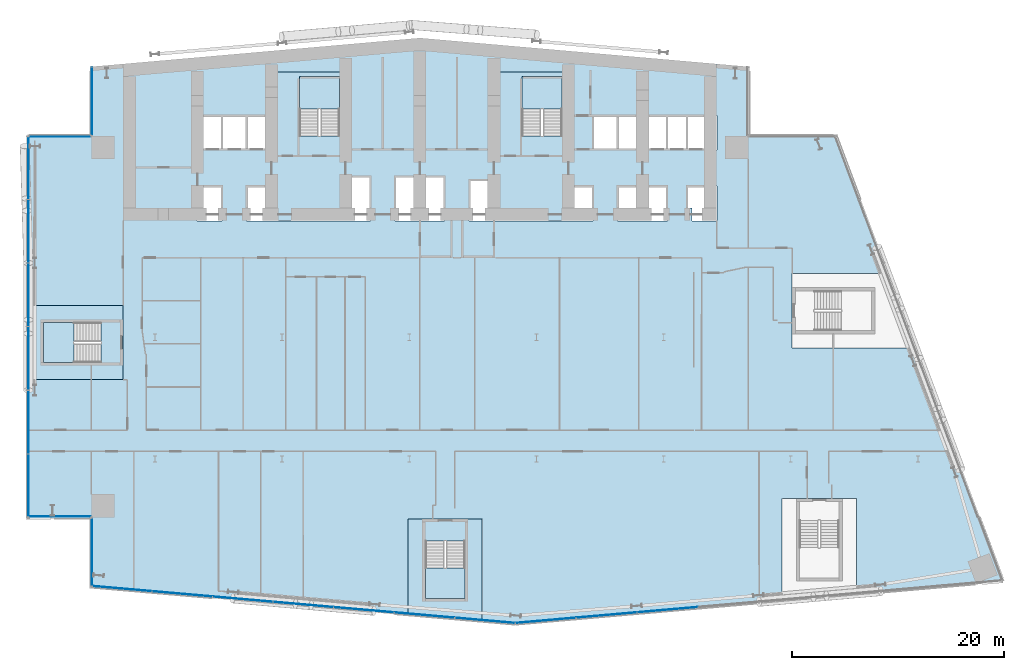
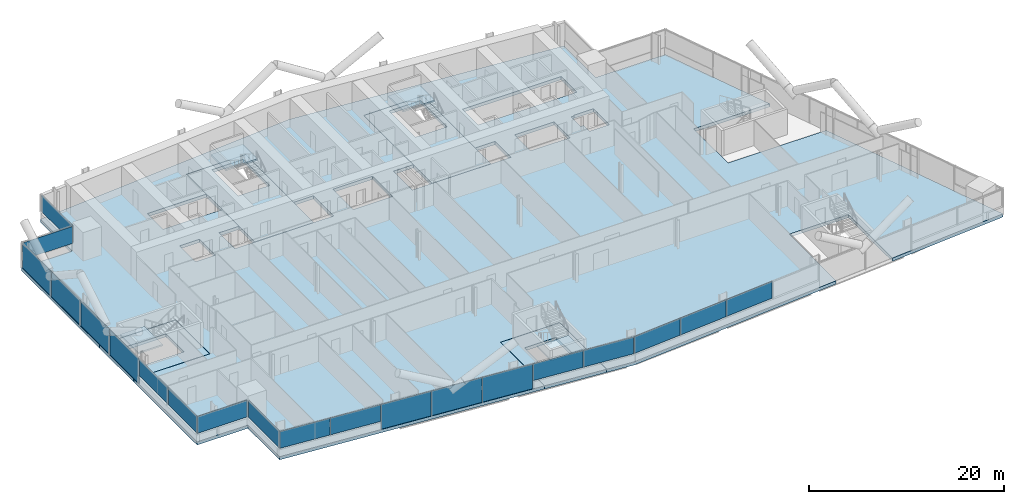
# One storey, part 11 of 27: 20 plates, 9 slabs, 11 elements without a shape of their own.
"""IFC4 building model written with IfcOpenShell, lengths in metres."""

from ifc_helpers import new_model, si_unit, direction, frame, origin, origin_2d, place, context, subcontext, project, spatial, polyline, rectangle, outline, extrude, material, layer, layer_set, type_object, element, aggregate, save


model = new_model("IFC4")

# Units and contexts
model_context = context("Model", 3, precision=1e-05, world=origin(), true_north=direction((0.0, 1.0)))
body_context = subcontext(model_context, "Body", "Model", "MODEL_VIEW")
ifc_project = project(units=[si_unit("LENGTHUNIT", "METRE"), si_unit("AREAUNIT", "SQUARE_METRE"), si_unit("VOLUMEUNIT", "CUBIC_METRE"), si_unit("PLANEANGLEUNIT", "RADIAN"), si_unit("MASSUNIT", "GRAM", prefix="KILO")], contexts=[model_context])

# Site, building, storey
site_placement = place(None, origin())
site = spatial("IfcSite", under=ifc_project, at=site_placement, CompositionType="ELEMENT")
building_placement = place(site_placement, origin())
building = spatial("IfcBuilding", under=site, at=building_placement, Name="Wharfspan Tower", CompositionType="ELEMENT")
storey_placement = place(building_placement, frame((0.0, 0.0, 48.699951)))
storey = spatial("IfcBuildingStorey", under=building, at=storey_placement, Name="L08", CompositionType="ELEMENT", Elevation=48.699951)

# Curtain wall, plates
ifc_material_1 = material(Name="Aluminium 6063-T6", Category="aluminium")
curtain_wall_type_1 = type_object("IfcCurtainWallType", Name="CURTAIN WALL FACETED FRONT", PredefinedType="NOTDEFINED", material=ifc_material_1)
curtain_wall_1_placement = place(storey_placement, origin())
curtain_wall_1 = element("IfcCurtainWall", 1, at=curtain_wall_1_placement, inside=storey, type_object=curtain_wall_type_1, Name="Curtain wall S1", PredefinedType="NOTDEFINED")
ifc_material_2 = material(Name="Glass clear low-iron double glazing", Category="glass")
ifc_layer_1 = layer(ifc_material_2, 0.040039)
ifc_layer_set_1 = layer_set([ifc_layer_1], Name="Glass clear low-iron double glazing")
plate_type_1 = type_object("IfcPlateType", Name="GLASS PANEL FACETED FRONT 40", PredefinedType="CURTAIN_PANEL", material=ifc_layer_set_1)
plate_1_placement = place(storey_placement, frame((8.877197, -0.716553, 1.0), z_axis=(0.0, 0.0, 1.0), x_axis=(0.996197, -0.087156, 0.0)))
plate_1 = element("IfcPlate", 2, at=plate_1_placement, type_object=plate_type_1, Name="Curtain wall S1 panel 1", PredefinedType="CURTAIN_PANEL", context=body_context, shape_type="SweptSolid", body=[
    extrude(rectangle(XDim=5.645996, YDim=0.040039, at=origin_2d()), origin(), (0.0, 0.0, 1.0), 2.120117),
])
plate_2_placement = place(storey_placement, frame((14.57666, -1.215088, 1.0), z_axis=(0.0, 0.0, 1.0), x_axis=(0.996197, -0.087156, 0.0)))
plate_2 = element("IfcPlate", 3, at=plate_2_placement, type_object=plate_type_1, Name="Curtain wall S1 panel 2", PredefinedType="CURTAIN_PANEL", context=body_context, shape_type="SweptSolid", body=[
    extrude(rectangle(XDim=5.676025, YDim=0.040039, at=origin_2d()), origin(), (0.0, 0.0, 1.0), 2.120117),
])
plate_3_placement = place(storey_placement, frame((37.433838, -3.214844, 1.0), z_axis=(0.0, 0.0, 1.0), x_axis=(0.996197, -0.087156, 0.0)))
plate_3 = element("IfcPlate", 4, at=plate_3_placement, type_object=plate_type_1, Name="Curtain wall S1 panel 6", PredefinedType="CURTAIN_PANEL", context=body_context, shape_type="SweptSolid", body=[
    extrude(rectangle(XDim=5.676025, YDim=0.040039, at=origin_2d()), origin(), (0.0, 0.0, 1.0), 2.120117),
])
plate_4_placement = place(storey_placement, frame((43.133057, -3.713379, 1.0), z_axis=(0.0, 0.0, 1.0), x_axis=(0.996197, -0.087156, 0.0)))
plate_4 = element("IfcPlate", 5, at=plate_4_placement, type_object=plate_type_1, Name="Curtain wall S1 panel 7", PredefinedType="CURTAIN_PANEL", context=body_context, shape_type="SweptSolid", body=[
    extrude(rectangle(XDim=5.645996, YDim=0.040039, at=origin_2d()), origin(), (0.0, 0.0, 1.0), 2.120117),
])

curtain_wall_2_placement = place(storey_placement, origin())
curtain_wall_2 = element("IfcCurtainWall", 6, at=curtain_wall_2_placement, inside=storey, type_object=curtain_wall_type_1, Name="Curtain wall S2", PredefinedType="NOTDEFINED")
plate_5_placement = place(storey_placement, frame((48.884766, -3.711914, 1.0), z_axis=(0.0, 0.0, 1.0), x_axis=(0.996197, 0.087156, 0.0)))
plate_5 = element("IfcPlate", 7, at=plate_5_placement, type_object=plate_type_1, Name="Curtain wall S2 panel 1", PredefinedType="CURTAIN_PANEL", context=body_context, shape_type="SweptSolid", body=[
    extrude(rectangle(XDim=5.681885, YDim=0.040039, at=origin_2d()), origin(), (0.0, 0.0, 1.0), 2.120117),
])
plate_6_placement = place(storey_placement, frame((54.619873, -3.210205, 1.0), z_axis=(0.0, 0.0, 1.0), x_axis=(0.996197, 0.087156, 0.0)))
plate_6 = element("IfcPlate", 8, at=plate_6_placement, type_object=plate_type_1, Name="Curtain wall S2 panel 2", PredefinedType="CURTAIN_PANEL", context=body_context, shape_type="SweptSolid", body=[
    extrude(rectangle(XDim=5.711914, YDim=0.040039, at=origin_2d()), origin(), (0.0, 0.0, 1.0), 2.120117),
])
plate_7_placement = place(storey_placement, frame((60.369873, -2.707031, 1.0), z_axis=(0.0, 0.0, 1.0), x_axis=(0.996197, 0.087156, 0.0)))
plate_7 = element("IfcPlate", 9, at=plate_7_placement, type_object=plate_type_1, Name="Curtain wall S2 panel 3", PredefinedType="CURTAIN_PANEL", context=body_context, shape_type="SweptSolid", body=[
    extrude(rectangle(XDim=5.711914, YDim=0.040039, at=origin_2d()), origin(), (0.0, 0.0, 1.0), 2.120117),
])
aggregate(curtain_wall_2, [plate_5, plate_6, plate_7])

# Curtain wall, plate
curtain_wall_type_2 = type_object("IfcCurtainWallType", Name="CURTAIN WALL PROW AND END", PredefinedType="NOTDEFINED", material=ifc_material_1)
curtain_wall_3_placement = place(storey_placement, origin())
curtain_wall_3 = element("IfcCurtainWall", 10, at=curtain_wall_3_placement, inside=storey, type_object=curtain_wall_type_2, Name="Curtain wall NRW-V", PredefinedType="NOTDEFINED")
ifc_layer_2 = layer(ifc_material_2, 0.040039)
ifc_layer_set_2 = layer_set([ifc_layer_2], Name="Glass clear low-iron double glazing")
plate_type_2 = type_object("IfcPlateType", Name="GLASS PANEL PROW AND END 40", PredefinedType="CURTAIN_PANEL", material=ifc_layer_set_2)
plate_8_placement = place(storey_placement, frame((6.080078, 45.262451, 1.0), z_axis=(0.0, 0.0, 1.0), x_axis=(0.0, -1.0, 0.0)))
plate_8 = element("IfcPlate", 11, at=plate_8_placement, type_object=plate_type_2, Name="Curtain wall NRW-V panel 1", PredefinedType="CURTAIN_PANEL", context=body_context, shape_type="SweptSolid", body=[
    extrude(rectangle(XDim=6.405029, YDim=0.040039, at=origin_2d()), origin(), (0.0, 0.0, 1.0), 2.120117),
])
aggregate(curtain_wall_3, [plate_8])

curtain_wall_4_placement = place(storey_placement, origin())
curtain_wall_4 = element("IfcCurtainWall", 12, at=curtain_wall_4_placement, inside=storey, type_object=curtain_wall_type_2, Name="Curtain wall NRW-H", PredefinedType="NOTDEFINED")
plate_9_placement = place(storey_placement, frame((3.0, 41.919922, 1.0), z_axis=(0.0, 0.0, 1.0), x_axis=(-1.0, 0.0, 0.0)))
plate_9 = element("IfcPlate", 13, at=plate_9_placement, type_object=plate_type_2, Name="Curtain wall NRW-H panel 1", PredefinedType="CURTAIN_PANEL", context=body_context, shape_type="SweptSolid", body=[
    extrude(rectangle(XDim=5.879883, YDim=0.040039, at=origin_2d()), origin(), (0.0, 0.0, 1.0), 2.120117),
])
aggregate(curtain_wall_4, [plate_9])

# Curtain wall, plates
curtain_wall_5_placement = place(storey_placement, origin())
curtain_wall_5 = element("IfcCurtainWall", 14, at=curtain_wall_5_placement, inside=storey, type_object=curtain_wall_type_2, Name="Curtain wall W", PredefinedType="NOTDEFINED")
plate_10_placement = place(storey_placement, frame((0.080078, 15.0, 1.0), z_axis=(0.0, 0.0, 1.0), x_axis=(0.0, -1.0, 0.0)))
plate_10 = element("IfcPlate", 15, at=plate_10_placement, type_object=plate_type_2, Name="Curtain wall W panel 5", PredefinedType="CURTAIN_PANEL", context=body_context, shape_type="SweptSolid", body=[
    extrude(rectangle(XDim=5.939941, YDim=0.040039, at=origin_2d()), origin(), (0.0, 0.0, 1.0), 2.120117),
])
plate_11_placement = place(storey_placement, frame((0.080078, 9.014893, 1.0), z_axis=(0.0, 0.0, 1.0), x_axis=(0.0, -1.0, 0.0)))
plate_11 = element("IfcPlate", 16, at=plate_11_placement, type_object=plate_type_2, Name="Curtain wall W panel 6", PredefinedType="CURTAIN_PANEL", context=body_context, shape_type="SweptSolid", body=[
    extrude(rectangle(XDim=5.909912, YDim=0.040039, at=origin_2d()), origin(), (0.0, 0.0, 1.0), 2.120117),
])

# Curtain wall, plate
curtain_wall_6_placement = place(storey_placement, origin())
curtain_wall_6 = element("IfcCurtainWall", 17, at=curtain_wall_6_placement, inside=storey, type_object=curtain_wall_type_2, Name="Curtain wall NFW-H", PredefinedType="NOTDEFINED")
plate_12_placement = place(storey_placement, frame((3.0, 6.080078, 1.0), z_axis=(0.0, 0.0, 1.0), x_axis=(1.0, 0.0, 0.0)))
plate_12 = element("IfcPlate", 18, at=plate_12_placement, type_object=plate_type_2, Name="Curtain wall NFW-H panel 1", PredefinedType="CURTAIN_PANEL", context=body_context, shape_type="SweptSolid", body=[
    extrude(rectangle(XDim=5.879883, YDim=0.040039, at=origin_2d()), origin(), (0.0, 0.0, 1.0), 2.120117),
])
aggregate(curtain_wall_6, [plate_12])

curtain_wall_7_placement = place(storey_placement, origin())
curtain_wall_7 = element("IfcCurtainWall", 19, at=curtain_wall_7_placement, inside=storey, type_object=curtain_wall_type_2, Name="Curtain wall NFW-V", PredefinedType="NOTDEFINED")
plate_13_placement = place(storey_placement, frame((6.080078, 2.737549, 1.0), z_axis=(0.0, 0.0, 1.0), x_axis=(0.0, -1.0, 0.0)))
plate_13 = element("IfcPlate", 20, at=plate_13_placement, type_object=plate_type_2, Name="Curtain wall NFW-V panel 1", PredefinedType="CURTAIN_PANEL", context=body_context, shape_type="SweptSolid", body=[
    extrude(rectangle(XDim=6.405029, YDim=0.040039, at=origin_2d()), origin(), (0.0, 0.0, 1.0), 2.120117),
])
aggregate(curtain_wall_7, [plate_13])

# Plate
ifc_material_3 = material(Name="Aluminium composite opaque insulated panel", Category="aluminium")
ifc_layer_3 = layer(ifc_material_3, 0.040039)
ifc_layer_set_3 = layer_set([ifc_layer_3], Name="Aluminium composite opaque insulated panel")
plate_type_3 = type_object("IfcPlateType", Name="INFILL PANEL FACETED FRONT OPAQUE 40", PredefinedType="SHEET", material=ifc_layer_set_3)
plate_14_placement = place(storey_placement, frame((20.291016, -1.715088, 0.0), z_axis=(0.0, 0.0, 1.0), x_axis=(0.996197, -0.087156, 0.0)))
plate_14 = element("IfcPlate", 21, at=plate_14_placement, type_object=plate_type_3, Name="Curtain wall S1 panel 3", PredefinedType="SHEET", context=body_context, shape_type="SweptSolid", body=[
    extrude(rectangle(XDim=5.676025, YDim=0.040039, at=origin_2d()), origin(), (0.0, 0.0, 1.0), 3.120117),
])

plate_15_placement = place(storey_placement, frame((26.005127, -2.214844, 0.0), z_axis=(0.0, 0.0, 1.0), x_axis=(0.996197, -0.087156, 0.0)))
plate_15 = element("IfcPlate", 22, at=plate_15_placement, type_object=plate_type_3, Name="Curtain wall S1 panel 4", PredefinedType="SHEET", context=body_context, shape_type="SweptSolid", body=[
    extrude(rectangle(XDim=5.676025, YDim=0.040039, at=origin_2d()), origin(), (0.0, 0.0, 1.0), 3.120117),
])

plate_16_placement = place(storey_placement, frame((31.719482, -2.714844, 0.0), z_axis=(0.0, 0.0, 1.0), x_axis=(0.996197, -0.087156, 0.0)))
plate_16 = element("IfcPlate", 23, at=plate_16_placement, type_object=plate_type_3, Name="Curtain wall S1 panel 5", PredefinedType="SHEET", context=body_context, shape_type="SweptSolid", body=[
    extrude(rectangle(XDim=5.676025, YDim=0.040039, at=origin_2d()), origin(), (0.0, 0.0, 1.0), 3.120117),
])

aggregate(curtain_wall_1, [plate_1, plate_2, plate_14, plate_15, plate_16, plate_3, plate_4])

ifc_layer_4 = layer(ifc_material_3, 0.040039)
ifc_layer_set_4 = layer_set([ifc_layer_4], Name="Aluminium composite opaque insulated panel")
plate_type_4 = type_object("IfcPlateType", Name="INFILL PANEL PROW AND END OPAQUE 40", PredefinedType="SHEET", material=ifc_layer_set_4)
plate_17_placement = place(storey_placement, frame((0.080078, 38.985107, 0.0), z_axis=(0.0, 0.0, 1.0), x_axis=(0.0, -1.0, 0.0)))
plate_17 = element("IfcPlate", 24, at=plate_17_placement, type_object=plate_type_4, Name="Curtain wall W panel 1", PredefinedType="SHEET", context=body_context, shape_type="SweptSolid", body=[
    extrude(rectangle(XDim=5.909912, YDim=0.040039, at=origin_2d()), origin(), (0.0, 0.0, 1.0), 3.120117),
])

plate_18_placement = place(storey_placement, frame((0.080078, 33.0, 0.0), z_axis=(0.0, 0.0, 1.0), x_axis=(0.0, -1.0, 0.0)))
plate_18 = element("IfcPlate", 25, at=plate_18_placement, type_object=plate_type_4, Name="Curtain wall W panel 2", PredefinedType="SHEET", context=body_context, shape_type="SweptSolid", body=[
    extrude(rectangle(XDim=5.939941, YDim=0.040039, at=origin_2d()), origin(), (0.0, 0.0, 1.0), 3.120117),
])

plate_19_placement = place(storey_placement, frame((0.080078, 27.0, 0.0), z_axis=(0.0, 0.0, 1.0), x_axis=(0.0, -1.0, 0.0)))
plate_19 = element("IfcPlate", 26, at=plate_19_placement, type_object=plate_type_4, Name="Curtain wall W panel 3", PredefinedType="SHEET", context=body_context, shape_type="SweptSolid", body=[
    extrude(rectangle(XDim=5.939941, YDim=0.040039, at=origin_2d()), origin(), (0.0, 0.0, 1.0), 3.120117),
])

plate_20_placement = place(storey_placement, frame((0.080078, 21.0, 0.0), z_axis=(0.0, 0.0, 1.0), x_axis=(0.0, -1.0, 0.0)))
plate_20 = element("IfcPlate", 27, at=plate_20_placement, type_object=plate_type_4, Name="Curtain wall W panel 4", PredefinedType="SHEET", context=body_context, shape_type="SweptSolid", body=[
    extrude(rectangle(XDim=5.939941, YDim=0.040039, at=origin_2d()), origin(), (0.0, 0.0, 1.0), 3.120117),
])

aggregate(curtain_wall_5, [plate_17, plate_18, plate_19, plate_20, plate_10, plate_11])

# Slabs
ifc_material_4 = material(Name="Concrete C40/50", Category="concrete")
ifc_layer_5 = layer(ifc_material_4, 0.399902)
ifc_layer_set_5 = layer_set([ifc_layer_5], Name="Concrete C40/50")
slab_type_1 = type_object("IfcSlabType", Name="Post-tensioned flat slab 400", PredefinedType="FLOOR", material=ifc_layer_set_5)
slab_1_placement = place(storey_placement, frame((0.0, 0.0, -0.400146)))
element("IfcSlab", 28, at=slab_1_placement, inside=storey, type_object=slab_type_1, Name="Floor slab L08", PredefinedType="FLOOR", context=body_context, shape_type="SweptSolid", body=[
    extrude(outline(polyline([(35.873291, -3.138428), (35.873291, 5.870605), (42.893311, 5.870605), (42.893311, -3.752686), (46.0, -4.024414), (71.182617, -1.821289), (71.182617, 7.802002), (78.202393, 7.802002), (78.202393, -1.207031), (92.0, 0.0), (83.753662, 21.98999), (72.11499, 21.98999), (72.11499, 29.01001), (81.121338, 29.01001), (76.25, 42.0), (68.0, 42.0), (68.0, 48.524902), (37.0, 51.237061), (6.0, 48.524902), (6.0, 42.0), (0.0, 42.0), (0.0, 26.01001), (9.01001, 26.01001), (9.01001, 18.98999), (0.0, 18.98999), (0.0, 6.0), (6.0, 6.0), (6.0, -0.524902), (35.873291, -3.138428)]), holes=[polyline([(62.290039, 37.159912), (62.656738, 37.159912), (62.656738, 37.26001), (65.01001, 37.26001), (65.01001, 33.98999), (62.656738, 33.98999), (62.656738, 35.189941), (62.290039, 35.189941), (62.290039, 37.159912)]), polyline([(65.01001, 43.909912), (65.01001, 40.689941), (53.323242, 40.689941), (53.323242, 43.909912), (65.01001, 43.909912)]), polyline([(55.656738, 33.98999), (55.656738, 37.26001), (60.343262, 37.26001), (60.343262, 33.98999), (55.656738, 33.98999)]), polyline([(43.98999, 37.860107), (43.98999, 48.01001), (51.01001, 48.01001), (51.01001, 37.26001), (53.343262, 37.26001), (53.343262, 33.98999), (41.656738, 33.98999), (41.656738, 37.860107), (43.98999, 37.860107)]), polyline([(34.656738, 33.98999), (34.656738, 38.159912), (39.343262, 38.159912), (39.343262, 33.98999), (34.656738, 33.98999)]), polyline([(15.98999, 40.689941), (15.98999, 43.909912), (20.656738, 43.909912), (20.676758, 43.909912), (22.98999, 43.909912), (22.98999, 48.01001), (30.01001, 48.01001), (30.01001, 38.159912), (32.343262, 38.159912), (32.343262, 33.98999), (20.656738, 33.98999), (20.656738, 37.26001), (22.98999, 37.26001), (22.98999, 40.689941), (20.676758, 40.689941), (20.656738, 40.689941), (15.98999, 40.689941)]), polyline([(18.343262, 37.26001), (18.343262, 33.98999), (15.98999, 33.98999), (15.98999, 37.26001), (18.343262, 37.26001)])]), origin(), (0.0, 0.0, 1.0), 0.400146),
])
slab_2_placement = place(storey_placement, frame((0.0, 0.0, -0.400146)))
element("IfcSlab", 29, at=slab_2_placement, inside=storey, type_object=slab_type_1, Name="Core floor slab L08 part 1", PredefinedType="FLOOR", context=body_context, shape_type="SweptSolid", body=[
    extrude(outline(polyline([(9.0, 20.324951), (9.0, 24.675049), (9.0, 26.0), (0.0, 26.0), (0.0, 19.0), (9.0, 19.0), (9.0, 20.324951)]), holes=[polyline([(6.9021, 20.625), (6.9021, 20.624756), (6.9021, 20.624512), (6.901855, 20.624512), (6.901855, 20.624268), (6.901855, 20.624023), (6.901611, 20.623779), (6.901611, 20.623779), (6.901367, 20.623535), (6.901367, 20.623535), (6.901123, 20.623291), (6.900879, 20.623291), (6.900879, 20.623291), (6.900635, 20.623047), (6.900391, 20.623047), (6.900146, 20.623047), (6.899902, 20.623047), (1.5, 20.623047), (1.499756, 20.623047), (1.499512, 20.623047), (1.499512, 20.623047), (1.499268, 20.623291), (1.499023, 20.623291), (1.498779, 20.623291), (1.498779, 20.623535), (1.498535, 20.623535), (1.498535, 20.623779), (1.498291, 20.623779), (1.498291, 20.624023), (1.498291, 20.624268), (1.498047, 20.624512), (1.498047, 20.624512), (1.498047, 20.624756), (1.498047, 20.625), (1.498047, 24.375), (1.498047, 24.375244), (1.498047, 24.375488), (1.498047, 24.375488), (1.498291, 24.375732), (1.498291, 24.375977), (1.498291, 24.376221), (1.498535, 24.376221), (1.498535, 24.376465), (1.498779, 24.376465), (1.498779, 24.376709), (1.499023, 24.376709), (1.499268, 24.376709), (1.499512, 24.376953), (1.499512, 24.376953), (1.499756, 24.376953), (1.5, 24.376953), (6.899902, 24.376953), (6.900146, 24.376953), (6.900391, 24.376953), (6.900635, 24.376953), (6.900879, 24.376709), (6.900879, 24.376709), (6.901123, 24.376709), (6.901367, 24.376465), (6.901367, 24.376465), (6.901611, 24.376221), (6.901611, 24.376221), (6.901855, 24.375977), (6.901855, 24.375732), (6.901855, 24.375488), (6.9021, 24.375488), (6.9021, 24.375244), (6.9021, 24.375), (6.9021, 20.625)])]), origin(), (0.0, 0.0, 1.0), 0.400146),
])
slab_3_placement = place(storey_placement, frame((0.0, 0.0, -0.400146)))
element("IfcSlab", 30, at=slab_3_placement, inside=storey, type_object=slab_type_1, Name="Core floor slab L08 part 2", PredefinedType="FLOOR", context=body_context, shape_type="SweptSolid", body=[
    extrude(outline(polyline([(20.664795, 34.0), (20.664795, 37.25), (20.664795, 37.250244), (20.664795, 37.250488), (20.664795, 37.250488), (20.664795, 37.250732), (20.664795, 37.250977), (20.665039, 37.251221), (20.665039, 37.251221), (20.665283, 37.251465), (20.665283, 37.251465), (20.665527, 37.251709), (20.665771, 37.251709), (20.666016, 37.251709), (20.666016, 37.251953), (20.66626, 37.251953), (20.666504, 37.251953), (20.666748, 37.251953), (23.0, 37.251953), (23.000244, 37.251953), (23.000488, 37.251953), (23.000488, 37.251953), (23.000732, 37.251709), (23.000977, 37.251709), (23.001221, 37.251709), (23.001221, 37.251465), (23.001465, 37.251465), (23.001465, 37.251221), (23.001709, 37.251221), (23.001709, 37.250977), (23.001709, 37.250732), (23.001953, 37.250488), (23.001953, 37.250488), (23.001953, 37.250244), (23.001953, 37.25), (23.001953, 34.0), (29.998047, 34.0), (29.998047, 38.149902), (29.998047, 38.150146), (29.998047, 38.150391), (29.998047, 38.150635), (29.998291, 38.150879), (29.998291, 38.150879), (29.998291, 38.151123), (29.998535, 38.151367), (29.998535, 38.151367), (29.998779, 38.151611), (29.998779, 38.151611), (29.999023, 38.151855), (29.999268, 38.151855), (29.999512, 38.151855), (29.999512, 38.1521), (29.999756, 38.1521), (30.0, 38.1521), (32.333252, 38.1521), (32.333496, 38.1521), (32.33374, 38.1521), (32.333984, 38.151855), (32.333984, 38.151855), (32.334229, 38.151855), (32.334473, 38.151611), (32.334717, 38.151611), (32.334717, 38.151367), (32.334961, 38.151367), (32.334961, 38.151123), (32.335205, 38.150879), (32.335205, 38.150879), (32.335205, 38.150635), (32.335205, 38.150391), (32.335205, 38.150146), (32.335205, 38.149902), (32.335205, 34.0), (32.341309, 34.0), (32.341309, 38.157959), (30.01001, 38.157959), (30.009766, 38.157959), (30.009521, 38.157959), (30.009521, 38.158203), (30.009277, 38.158203), (30.009033, 38.158203), (30.008789, 38.158203), (30.008789, 38.158447), (30.008545, 38.158691), (30.008545, 38.158691), (30.008301, 38.158936), (30.008301, 38.15918), (30.008301, 38.15918), (30.008057, 38.159424), (30.008057, 38.159668), (30.008057, 38.159912), (30.008057, 38.159912), (30.008057, 48.008057), (22.991943, 48.008057), (22.991943, 43.909912), (22.991943, 43.909912), (22.991943, 43.909668), (22.991943, 43.909424), (22.991699, 43.90918), (22.991699, 43.90918), (22.991699, 43.908936), (22.991455, 43.908691), (22.991455, 43.908691), (22.991211, 43.908447), (22.991211, 43.908203), (22.990967, 43.908203), (22.990723, 43.908203), (22.990479, 43.908203), (22.990479, 43.907959), (22.990234, 43.907959), (22.98999, 43.907959), (15.991943, 43.907959), (15.991943, 40.691895), (22.98999, 40.691895), (22.990234, 40.691895), (22.990479, 40.691895), (22.990479, 40.691895), (22.990723, 40.691895), (22.990967, 40.691895), (22.991211, 40.69165), (22.991211, 40.691406), (22.991455, 40.691406), (22.991455, 40.691406), (22.991699, 40.691162), (22.991699, 40.690918), (22.991699, 40.690918), (22.991943, 40.690674), (22.991943, 40.69043), (22.991943, 40.690186), (22.991943, 40.689941), (22.991943, 37.26001), (22.991943, 37.259766), (22.991943, 37.259521), (22.991943, 37.259521), (22.991699, 37.259277), (22.991699, 37.259033), (22.991699, 37.258789), (22.991455, 37.258789), (22.991455, 37.258545), (22.991211, 37.258545), (22.991211, 37.258301), (22.990967, 37.258301), (22.990723, 37.258301), (22.990479, 37.258057), (22.990479, 37.258057), (22.990234, 37.258057), (22.98999, 37.258057), (20.658691, 37.258057), (20.658691, 34.0), (20.664795, 34.0)]), holes=[polyline([(29.4021, 42.0), (29.4021, 41.999756), (29.4021, 41.999512), (29.401855, 41.999512), (29.401855, 41.999268), (29.401855, 41.999023), (29.401611, 41.998779), (29.401611, 41.998779), (29.401367, 41.998535), (29.401367, 41.998535), (29.401123, 41.998291), (29.400879, 41.998291), (29.400879, 41.998291), (29.400635, 41.998047), (29.400391, 41.998047), (29.400146, 41.998047), (29.399902, 41.998047), (25.649902, 41.998047), (25.649902, 41.998047), (25.649658, 41.998047), (25.649414, 41.998047), (25.64917, 41.998291), (25.64917, 41.998291), (25.648926, 41.998291), (25.648682, 41.998535), (25.648682, 41.998535), (25.648438, 41.998779), (25.648193, 41.998779), (25.648193, 41.999023), (25.648193, 41.999268), (25.648193, 41.999512), (25.647949, 41.999512), (25.647949, 41.999756), (25.647949, 42.0), (25.647949, 47.399902), (25.647949, 47.400146), (25.647949, 47.400391), (25.648193, 47.400635), (25.648193, 47.400879), (25.648193, 47.400879), (25.648193, 47.401123), (25.648438, 47.401367), (25.648682, 47.401367), (25.648682, 47.401611), (25.648926, 47.401611), (25.64917, 47.401855), (25.64917, 47.401855), (25.649414, 47.401855), (25.649658, 47.4021), (25.649902, 47.4021), (25.649902, 47.4021), (29.399902, 47.4021), (29.400146, 47.4021), (29.400391, 47.4021), (29.400635, 47.401855), (29.400879, 47.401855), (29.400879, 47.401855), (29.401123, 47.401611), (29.401367, 47.401611), (29.401367, 47.401367), (29.401611, 47.401367), (29.401611, 47.401123), (29.401855, 47.400879), (29.401855, 47.400879), (29.401855, 47.400635), (29.4021, 47.400391), (29.4021, 47.400146), (29.4021, 47.399902), (29.4021, 42.0)]), polyline([(16.0, 40.697998), (15.999756, 40.697998), (15.999512, 40.697998), (15.999512, 40.697998), (15.999268, 40.698242), (15.999023, 40.698242), (15.998779, 40.698242), (15.998779, 40.698486), (15.998535, 40.698486), (15.998535, 40.69873), (15.998291, 40.698975), (15.998291, 40.699219), (15.998291, 40.699219), (15.998047, 40.699463), (15.998047, 40.699707), (15.998047, 40.699707), (15.998047, 40.699951), (15.998047, 43.899902), (15.998047, 43.900146), (15.998047, 43.900391), (15.998047, 43.900635), (15.998291, 43.900879), (15.998291, 43.900879), (15.998291, 43.901123), (15.998535, 43.901367), (15.998535, 43.901367), (15.998779, 43.901611), (15.998779, 43.901611), (15.999023, 43.901855), (15.999268, 43.901855), (15.999512, 43.901855), (15.999512, 43.9021), (15.999756, 43.9021), (16.0, 43.9021), (20.666748, 43.9021), (20.666748, 43.9021), (23.0, 43.9021), (23.000244, 43.9021), (23.000488, 43.9021), (23.000488, 43.901855), (23.000732, 43.901855), (23.000977, 43.901855), (23.001221, 43.901611), (23.001221, 43.901611), (23.001465, 43.901367), (23.001465, 43.901367), (23.001709, 43.901123), (23.001709, 43.900879), (23.001709, 43.900879), (23.001953, 43.900635), (23.001953, 43.900391), (23.001953, 43.900146), (23.001953, 43.899902), (23.001953, 40.699951), (23.001953, 40.699707), (23.001953, 40.699707), (23.001953, 40.699463), (23.001709, 40.699219), (23.001709, 40.699219), (23.001709, 40.698975), (23.001465, 40.69873), (23.001465, 40.698486), (23.001221, 40.698486), (23.001221, 40.698242), (23.000977, 40.698242), (23.000732, 40.698242), (23.000488, 40.697998), (23.000488, 40.697998), (23.000244, 40.697998), (23.0, 40.697998), (20.666748, 40.697998), (20.666748, 40.697998), (16.0, 40.697998)])]), origin(), (0.0, 0.0, 1.0), 0.400146),
])
slab_4_placement = place(storey_placement, frame((0.0, 0.0, -0.400146)))
element("IfcSlab", 31, at=slab_4_placement, inside=storey, type_object=slab_type_1, Name="Core floor slab L08 part 3", PredefinedType="FLOOR", context=body_context, shape_type="SweptSolid", body=[
    extrude(outline(polyline([(41.55835, 5.860596), (37.208252, 5.860596), (35.883301, 5.860596), (35.883301, -3.139404), (42.883301, -3.751709), (42.883301, 5.860596), (41.55835, 5.860596)]), holes=[polyline([(37.506348, 3.760498), (37.506348, 3.760742), (37.506348, 3.760986), (37.506348, 3.76123), (37.506592, 3.761475), (37.506592, 3.761719), (37.506592, 3.761719), (37.506836, 3.761963), (37.506836, 3.761963), (37.50708, 3.762207), (37.50708, 3.762207), (37.507324, 3.762451), (37.507568, 3.762451), (37.507812, 3.762451), (37.507812, 3.762695), (37.508057, 3.762695), (37.508301, 3.762695), (41.258301, 3.762695), (41.258545, 3.762695), (41.258789, 3.762695), (41.258789, 3.762451), (41.259033, 3.762451), (41.259277, 3.762451), (41.259521, 3.762207), (41.259521, 3.762207), (41.259766, 3.761963), (41.26001, 3.761963), (41.26001, 3.761719), (41.26001, 3.761719), (41.260254, 3.761475), (41.260254, 3.76123), (41.260254, 3.760986), (41.260254, 3.760742), (41.260254, 3.760498), (41.260254, -1.639404), (41.260254, -1.639648), (41.260254, -1.639893), (41.260254, -1.639893), (41.260254, -1.640137), (41.26001, -1.640381), (41.26001, -1.640381), (41.26001, -1.640625), (41.259766, -1.640869), (41.259521, -1.640869), (41.259521, -1.641113), (41.259277, -1.641113), (41.259033, -1.641113), (41.258789, -1.641357), (41.258789, -1.641357), (41.258545, -1.641357), (41.258301, -1.641357), (37.508301, -1.641357), (37.508057, -1.641357), (37.507812, -1.641357), (37.507812, -1.641357), (37.507568, -1.641113), (37.507324, -1.641113), (37.50708, -1.641113), (37.50708, -1.640869), (37.506836, -1.640869), (37.506836, -1.640625), (37.506592, -1.640381), (37.506592, -1.640381), (37.506592, -1.640137), (37.506348, -1.639893), (37.506348, -1.639893), (37.506348, -1.639648), (37.506348, -1.639404), (37.506348, 3.760498)])]), origin(), (0.0, 0.0, 1.0), 0.400146),
])
slab_5_placement = place(storey_placement, frame((0.0, 0.0, -0.400146)))
element("IfcSlab", 32, at=slab_5_placement, inside=storey, type_object=slab_type_1, Name="Core floor slab L08 part 4", PredefinedType="FLOOR", context=body_context, shape_type="SweptSolid", body=[
    extrude(outline(polyline([(53.341309, 34.0), (53.341309, 37.258057), (51.01001, 37.258057), (51.009766, 37.258057), (51.009521, 37.258057), (51.009521, 37.258057), (51.009277, 37.258301), (51.009033, 37.258301), (51.008789, 37.258301), (51.008789, 37.258545), (51.008545, 37.258545), (51.008545, 37.258789), (51.008301, 37.258789), (51.008301, 37.259033), (51.008301, 37.259277), (51.008057, 37.259521), (51.008057, 37.259521), (51.008057, 37.259766), (51.008057, 37.26001), (51.008057, 48.008057), (43.991943, 48.008057), (43.991943, 37.860107), (43.991943, 37.859863), (43.991943, 37.859619), (43.991943, 37.859375), (43.991699, 37.859131), (43.991699, 37.859131), (43.991699, 37.858887), (43.991455, 37.858643), (43.991455, 37.858643), (43.991211, 37.858398), (43.991211, 37.858398), (43.990967, 37.858154), (43.990723, 37.858154), (43.990479, 37.858154), (43.990479, 37.85791), (43.990234, 37.85791), (43.98999, 37.85791), (41.658691, 37.85791), (41.658691, 34.0), (41.664795, 34.0), (41.664795, 37.850098), (41.664795, 37.850098), (41.664795, 37.850342), (41.664795, 37.850586), (41.664795, 37.85083), (41.664795, 37.85083), (41.665039, 37.851074), (41.665039, 37.851318), (41.665283, 37.851318), (41.665283, 37.851562), (41.665527, 37.851807), (41.665771, 37.851807), (41.666016, 37.851807), (41.666016, 37.851807), (41.66626, 37.852051), (41.666504, 37.852051), (41.666748, 37.852051), (44.0, 37.852051), (44.000244, 37.852051), (44.000488, 37.852051), (44.000488, 37.851807), (44.000732, 37.851807), (44.000977, 37.851807), (44.001221, 37.851807), (44.001221, 37.851562), (44.001465, 37.851318), (44.001465, 37.851318), (44.001709, 37.851074), (44.001709, 37.85083), (44.001709, 37.85083), (44.001953, 37.850586), (44.001953, 37.850342), (44.001953, 37.850098), (44.001953, 37.850098), (44.001953, 34.0), (50.998047, 34.0), (50.998047, 37.25), (50.998047, 37.250244), (50.998047, 37.250488), (50.998047, 37.250488), (50.998291, 37.250732), (50.998291, 37.250977), (50.998291, 37.251221), (50.998535, 37.251221), (50.998535, 37.251465), (50.998779, 37.251465), (50.998779, 37.251709), (50.999023, 37.251709), (50.999268, 37.251709), (50.999512, 37.251953), (50.999512, 37.251953), (50.999756, 37.251953), (51.0, 37.251953), (53.333252, 37.251953), (53.333496, 37.251953), (53.33374, 37.251953), (53.333984, 37.251953), (53.333984, 37.251709), (53.334229, 37.251709), (53.334473, 37.251709), (53.334717, 37.251465), (53.334717, 37.251465), (53.334961, 37.251221), (53.334961, 37.251221), (53.335205, 37.250977), (53.335205, 37.250732), (53.335205, 37.250488), (53.335205, 37.250488), (53.335205, 37.250244), (53.335205, 37.25), (53.335205, 34.0), (53.341309, 34.0)]), holes=[polyline([(46.649902, 41.998047), (46.649902, 41.998047), (46.649658, 41.998047), (46.649414, 41.998047), (46.64917, 41.998291), (46.64917, 41.998291), (46.648926, 41.998291), (46.648682, 41.998535), (46.648682, 41.998535), (46.648438, 41.998779), (46.648193, 41.998779), (46.648193, 41.999023), (46.648193, 41.999268), (46.648193, 41.999512), (46.647949, 41.999512), (46.647949, 41.999756), (46.647949, 42.0), (46.647949, 47.399902), (46.647949, 47.400146), (46.647949, 47.400391), (46.648193, 47.400635), (46.648193, 47.400879), (46.648193, 47.400879), (46.648193, 47.401123), (46.648438, 47.401367), (46.648682, 47.401367), (46.648682, 47.401611), (46.648926, 47.401611), (46.64917, 47.401855), (46.64917, 47.401855), (46.649414, 47.401855), (46.649658, 47.4021), (46.649902, 47.4021), (46.649902, 47.4021), (50.399902, 47.4021), (50.400146, 47.4021), (50.400391, 47.4021), (50.400635, 47.401855), (50.400879, 47.401855), (50.400879, 47.401855), (50.401123, 47.401611), (50.401367, 47.401611), (50.401367, 47.401367), (50.401611, 47.401367), (50.401611, 47.401123), (50.401855, 47.400879), (50.401855, 47.400879), (50.401855, 47.400635), (50.4021, 47.400391), (50.4021, 47.400146), (50.4021, 47.399902), (50.4021, 42.0), (50.4021, 41.999756), (50.4021, 41.999512), (50.401855, 41.999512), (50.401855, 41.999268), (50.401855, 41.999023), (50.401611, 41.998779), (50.401611, 41.998779), (50.401367, 41.998535), (50.401367, 41.998535), (50.401123, 41.998291), (50.400879, 41.998291), (50.400879, 41.998291), (50.400635, 41.998047), (50.400391, 41.998047), (50.400146, 41.998047), (50.399902, 41.998047), (46.649902, 41.998047)])]), origin(), (0.0, 0.0, 1.0), 0.400146),
])

# Stair, slab
stair_type = type_object("IfcStairType", Name="Half-turn stair 20 risers 180 mm", PredefinedType="HALF_TURN_STAIR", material=ifc_material_4)
stair_1_placement = place(storey_placement, origin())
stair_1 = element("IfcStair", 33, at=stair_1_placement, inside=storey, type_object=stair_type, Name="L08 stair ST1", PredefinedType="HALF_TURN_STAIR")
ifc_layer_6 = layer(ifc_material_4, 0.199951)
ifc_layer_set_6 = layer_set([ifc_layer_6], Name="Concrete C40/50")
slab_type_2 = type_object("IfcSlabType", Name="Stair landing 200", PredefinedType="LANDING", material=ifc_layer_set_6)
slab_6_placement = place(storey_placement, frame((0.0, 0.0, 1.599854)))
slab_6 = element("IfcSlab", 34, at=slab_6_placement, type_object=slab_type_2, Name="ST1 landing 1", PredefinedType="LANDING", context=body_context, shape_type="SweptSolid", body=[
    extrude(outline(polyline([(25.649902, 44.52002), (29.399902, 44.52002), (29.399902, 47.582764), (25.649902, 47.582764), (25.649902, 44.52002)])), origin(), (0.0, 0.0, 1.0), 0.200195),
])
aggregate(stair_1, [slab_6])

stair_2_placement = place(storey_placement, origin())
stair_2 = element("IfcStair", 35, at=stair_2_placement, inside=storey, type_object=stair_type, Name="L08 stair ST2", PredefinedType="HALF_TURN_STAIR")
slab_7_placement = place(storey_placement, frame((0.0, 0.0, 1.599854)))
slab_7 = element("IfcSlab", 36, at=slab_7_placement, type_object=slab_type_2, Name="ST2 landing 1", PredefinedType="LANDING", context=body_context, shape_type="SweptSolid", body=[
    extrude(outline(polyline([(46.649902, 44.52002), (50.399902, 44.52002), (50.399902, 47.582764), (46.649902, 47.582764), (46.649902, 44.52002)])), origin(), (0.0, 0.0, 1.0), 0.200195),
])
aggregate(stair_2, [slab_7])

stair_3_placement = place(storey_placement, origin())
stair_3 = element("IfcStair", 37, at=stair_3_placement, inside=storey, type_object=stair_type, Name="L08 stair ST3", PredefinedType="HALF_TURN_STAIR")
slab_8_placement = place(storey_placement, frame((0.0, 0.0, 1.599854)))
slab_8 = element("IfcSlab", 38, at=slab_8_placement, type_object=slab_type_2, Name="ST3 landing 1", PredefinedType="LANDING", context=body_context, shape_type="SweptSolid", body=[
    extrude(outline(polyline([(4.379883, 24.375), (1.5, 24.375), (1.5, 20.625), (4.379883, 20.625), (4.379883, 24.375)])), origin(), (0.0, 0.0, 1.0), 0.200195),
])
aggregate(stair_3, [slab_8])

stair_4_placement = place(storey_placement, origin())
stair_4 = element("IfcStair", 39, at=stair_4_placement, inside=storey, type_object=stair_type, Name="L08 stair ST4", PredefinedType="HALF_TURN_STAIR")
slab_9_placement = place(storey_placement, frame((0.0, 0.0, 1.599854)))
slab_9 = element("IfcSlab", 40, at=slab_9_placement, type_object=slab_type_2, Name="ST4 landing 1", PredefinedType="LANDING", context=body_context, shape_type="SweptSolid", body=[
    extrude(outline(polyline([(37.508301, 1.240723), (37.508301, -1.639404), (41.258301, -1.639404), (41.258301, 1.240723), (37.508301, 1.240723)])), origin(), (0.0, 0.0, 1.0), 0.200195),
])
aggregate(stair_4, [slab_9])

save(model, "model.ifc")
